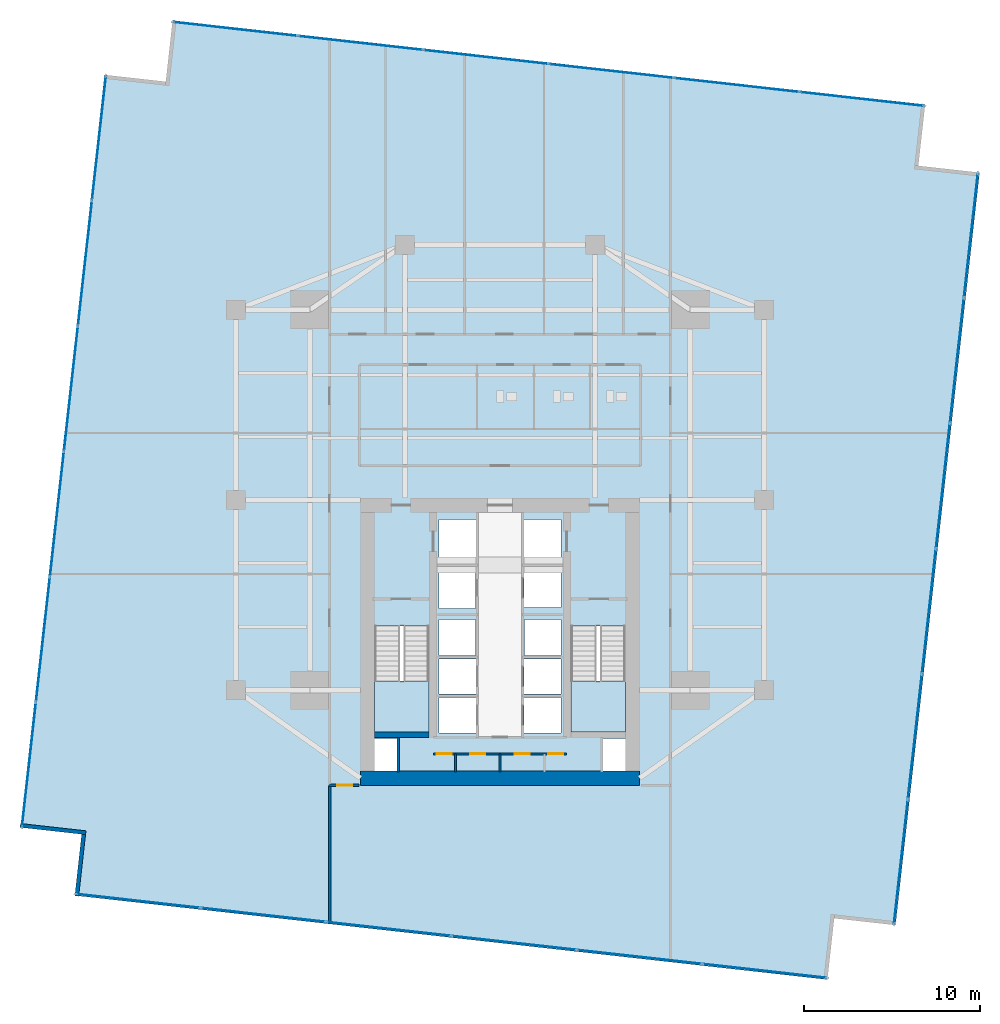
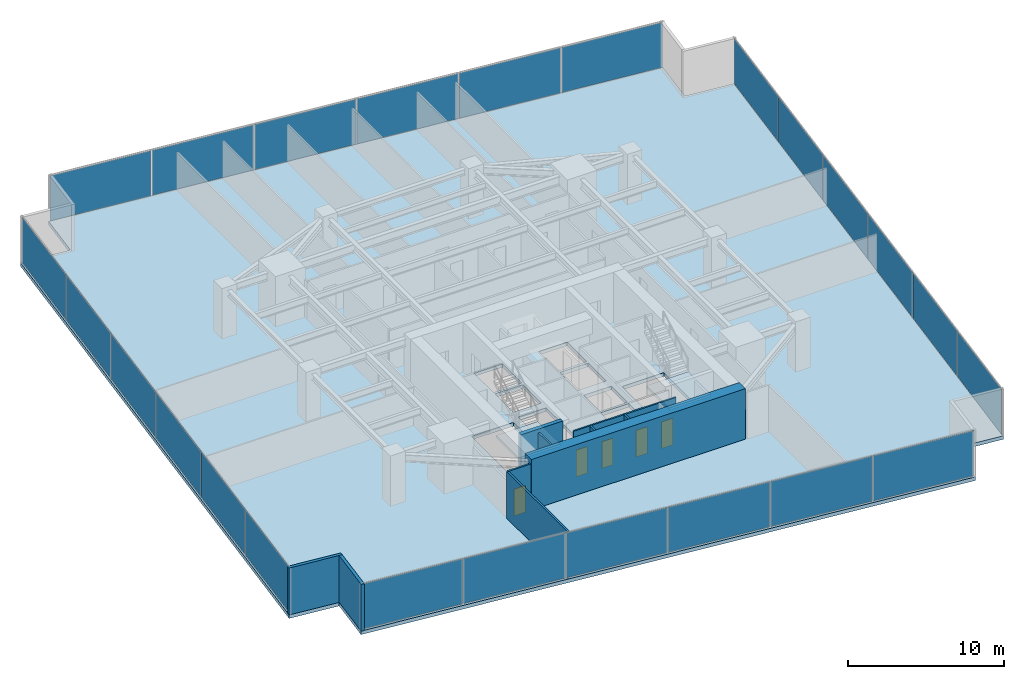
# One storey, part 24 of 29: 24 plates, 10 walls, 5 doors, 3 slabs, 5 openings, 6 elements without a shape of their own.
"""IFC4 building model written with IfcOpenShell, lengths in metres."""

import ifcopenshell
import ifcopenshell.guid

model = None  # the IFC model being written
_history = None  # IfcOwnerHistory: only IFC2X3 demands one
_inside = {}  # id of a spatial element -> (the spatial element, [elements in it])
_under = {}  # id of a project, library or spatial element -> (it, [spatial elements below it])
_declared = {}  # id of a project -> (the project, [libraries it declares])
_typed = {}  # id of a type object -> (the type object, [elements of that type])
_made_of = {}  # id of a material, layer set ... -> (it, [elements and type objects made of it])


def new_model(schema):
    """Start an empty IFC model of exactly this schema.

    Asked for "IFC4X3", IfcOpenShell would pick the latest addendum, in which some entities
    have other attributes; the version numbers below select the first issue.
    IFC2X3 requires an IfcOwnerHistory on every rooted entity: one is made here for all.
    """
    global model, _history
    if schema == "IFC4X3":
        model = ifcopenshell.file(schema_version=(4, 3, 0, 0))
    else:
        model = ifcopenshell.file(schema=schema)
    _inside.clear()
    _under.clear()
    _declared.clear()
    _typed.clear()
    _made_of.clear()
    _history = None
    if model.schema == "IFC2X3":
        org = make("IfcOrganization", Name="unknown")
        user = make(
            "IfcPersonAndOrganization",
            ThePerson=make("IfcPerson", FamilyName="unknown"),
            TheOrganization=org,
        )
        app = make(
            "IfcApplication",
            ApplicationDeveloper=org,
            Version="unknown",
            ApplicationFullName="unknown",
            ApplicationIdentifier="unknown",
        )
        _history = make(
            "IfcOwnerHistory",
            OwningUser=user,
            OwningApplication=app,
            ChangeAction="ADDED",
            CreationDate=0,
        )
    return model


def make(cls, **values):
    """One entity of the class cls with the attributes given. An attribute that is None is left unset."""
    return model.create_entity(
        cls, **{name: value for name, value in values.items() if value is not None}
    )


def rooted(cls, **values):
    """An entity with a GlobalId (a new one), such as an element, a storey or a relation."""
    return make(cls, GlobalId=ifcopenshell.guid.new(), OwnerHistory=_history, **values)


def si_unit(unit_type, name, prefix=None):
    """IfcSIUnit, for example si_unit("LENGTHUNIT", "METRE", prefix="MILLI")."""
    return make("IfcSIUnit", UnitType=unit_type, Prefix=prefix, Name=name)


def assignment(units):
    """IfcUnitAssignment: the units of a project."""
    return None if units is None else make("IfcUnitAssignment", Units=units)


def point(xyz):
    """IfcCartesianPoint."""
    return None if xyz is None else make("IfcCartesianPoint", Coordinates=xyz)


def direction(xyz):
    """IfcDirection."""
    return None if xyz is None else make("IfcDirection", DirectionRatios=xyz)


def frame(location, z_axis=None, x_axis=None):
    """IfcAxis2Placement3D, a coordinate frame: its origin and axes. An axis left out is left unset."""
    return make(
        "IfcAxis2Placement3D",
        Location=point(location),
        Axis=direction(z_axis),
        RefDirection=direction(x_axis),
    )


def frame_2d(location, x_axis=None):
    """IfcAxis2Placement2D, a coordinate frame in the plane: its origin and x axis."""
    return make(
        "IfcAxis2Placement2D", Location=point(location), RefDirection=direction(x_axis)
    )


def origin():
    """The frame at (0, 0, 0) with its axes left unset."""
    return frame((0.0, 0.0, 0.0))


def origin_2d():
    """The frame at (0, 0) in the plane with its x axis left unset."""
    return frame_2d((0.0, 0.0))


def place(relative_to, where):
    """IfcLocalPlacement: puts the frame where relative to a parent placement (None: the world)."""
    return make(
        "IfcLocalPlacement", PlacementRelTo=relative_to, RelativePlacement=where
    )


def context(
    kind, dimensions, precision=None, world=None, true_north=None, identifier=None
):
    """IfcGeometricRepresentationContext, for example the 3D "Model" context."""
    return make(
        "IfcGeometricRepresentationContext",
        ContextIdentifier=identifier,
        ContextType=kind,
        CoordinateSpaceDimension=dimensions,
        Precision=precision,
        WorldCoordinateSystem=world,
        TrueNorth=true_north,
    )


def subcontext(parent, identifier, kind, view, scale=None):
    """IfcGeometricRepresentationSubContext, for example "Body" below "Model"."""
    return make(
        "IfcGeometricRepresentationSubContext",
        ContextIdentifier=identifier,
        ContextType=kind,
        ParentContext=parent,
        TargetScale=scale,
        TargetView=view,
    )


def project(units=None, contexts=None):
    """IfcProject with its units and contexts."""
    return rooted(
        "IfcProject",
        Name="project",
        RepresentationContexts=contexts,
        UnitsInContext=assignment(units),
    )


def spatial(cls, under=None, at=None, **own):
    """A site, building, storey or space (cls), placed at a placement, below another one or the project."""
    s = rooted(cls, ObjectPlacement=at, **own)
    if under is not None:
        _under.setdefault(under.id(), (under, []))[1].append(s)
    return s


def polyline(points):
    """IfcPolyline through the points."""
    return make("IfcPolyline", Points=[point(p) for p in points])


def profile(cls, at=None, kind="AREA", **sizes):
    """A parametric profile (cls). Its sizes go by their IFC names, for example OverallWidth=200.0."""
    return make(cls, ProfileType=kind, Position=at, **sizes)


def rectangle(**sizes):
    """IfcRectangleProfileDef."""
    return profile("IfcRectangleProfileDef", **sizes)


def outline(outer, holes=None, kind="AREA"):
    """IfcArbitraryClosedProfileDef: a profile drawn as a closed curve; with holes, ...WithVoids."""
    if holes is None:
        return make("IfcArbitraryClosedProfileDef", ProfileType=kind, OuterCurve=outer)
    return make(
        "IfcArbitraryProfileDefWithVoids",
        ProfileType=kind,
        OuterCurve=outer,
        InnerCurves=holes,
    )


def extrude(swept, where, along, depth):
    """IfcExtrudedAreaSolid: the profile swept, set in the frame where, extruded along a direction by depth."""
    return make(
        "IfcExtrudedAreaSolid",
        SweptArea=swept,
        Position=where,
        ExtrudedDirection=direction(along),
        Depth=depth,
    )


def shape(context_of_items, identifier, shape_type, items):
    """IfcShapeRepresentation: the items that make up one representation, for example the "Body"."""
    return make(
        "IfcShapeRepresentation",
        ContextOfItems=context_of_items,
        RepresentationIdentifier=identifier,
        RepresentationType=shape_type,
        Items=items,
    )


def source(mapping_origin, context_of_items, identifier, shape_type, items):
    """IfcRepresentationMap: a shape defined once, which mapped items show again and again."""
    return make(
        "IfcRepresentationMap",
        MappingOrigin=mapping_origin,
        MappedRepresentation=shape(context_of_items, identifier, shape_type, items),
    )


def transform(
    local_origin,
    x_axis=None,
    y_axis=None,
    z_axis=None,
    scale=None,
    scale2=None,
    scale3=None,
    uniform=True,
):
    """IfcCartesianTransformationOperator3D, or its non-uniform kind. x_axis, y_axis, z_axis: its Axis1, 2, 3."""
    if uniform:
        return make(
            "IfcCartesianTransformationOperator3D",
            Axis1=direction(x_axis),
            Axis2=direction(y_axis),
            LocalOrigin=point(local_origin),
            Scale=scale,
            Axis3=direction(z_axis),
        )
    return make(
        "IfcCartesianTransformationOperator3DnonUniform",
        Axis1=direction(x_axis),
        Axis2=direction(y_axis),
        LocalOrigin=point(local_origin),
        Scale=scale,
        Axis3=direction(z_axis),
        Scale2=scale2,
        Scale3=scale3,
    )


def mapped(mapping_source, mapping_target):
    """IfcMappedItem: shows the shape of a source again, moved by a transform."""
    return make(
        "IfcMappedItem", MappingSource=mapping_source, MappingTarget=mapping_target
    )


def material(Name=None, Category=None):
    """IfcMaterial."""
    return make("IfcMaterial", Name=Name, Category=Category)


def layer(
    of_material, thickness, ventilated=None, Name=None, Category=None, Priority=None
):
    """IfcMaterialLayer: one layer of a wall or slab, of a material (None: an air gap)."""
    return make(
        "IfcMaterialLayer",
        Material=of_material,
        LayerThickness=thickness,
        IsVentilated=ventilated,
        Name=Name,
        Category=Category,
        Priority=Priority,
    )


def layer_set(layers, Name=None):
    """IfcMaterialLayerSet."""
    return make("IfcMaterialLayerSet", MaterialLayers=layers, LayerSetName=Name)


def made_of(thing, what):
    """Note that an element or type object is made of a material, layer set ...; save() writes the relation."""
    if what is not None:
        _made_of.setdefault(what.id(), (what, []))[1].append(thing)
    return thing


def type_object(cls, material=None, **own):
    """A type object (cls), such as IfcWallType, which elements share."""
    return made_of(rooted(cls, **own), material)


def type_shapes(of_type, sources):
    """Give a type object the sources (RepresentationMaps) that its elements show as mapped items."""
    of_type.RepresentationMaps = sources


def element(
    cls,
    number,
    at=None,
    inside=None,
    cuts=None,
    type_object=None,
    material=None,
    context=None,
    identifier="Body",
    shape_type=None,
    held_by="IfcProductDefinitionShape",
    body=None,
    shapes=None,
    **own,
):
    """One element of the class cls, such as IfcWall. Its Tag is "e" and its number.

    at: its placement. inside: the storey or other place that contains it. cuts: it is an
    opening in that element (IfcRelVoidsElement). A single representation is given by context,
    identifier, shape_type and body (its items); several are given by shapes. held_by: the class
    of the entity that holds the representations. save() writes the other relations.
    """
    e = rooted(cls, Tag="e%d" % number, ObjectPlacement=at, **own)
    if body is not None:
        shapes = [shape(context, identifier, shape_type, body)]
    if shapes is not None:
        e.Representation = make(held_by, Representations=shapes)
    if inside is not None:
        _inside.setdefault(inside.id(), (inside, []))[1].append(e)
    if cuts is not None:
        rooted(
            "IfcRelVoidsElement", RelatingBuildingElement=cuts, RelatedOpeningElement=e
        )
    if type_object is not None:
        _typed.setdefault(type_object.id(), (type_object, []))[1].append(e)
    return made_of(e, material)


def fill(opening, filler):
    """IfcRelFillsElement: the door or window that sits in an opening."""
    return rooted(
        "IfcRelFillsElement",
        RelatingOpeningElement=opening,
        RelatedBuildingElement=filler,
    )


def aggregate(whole, parts):
    """IfcRelAggregates: a whole, such as a stair, and the parts it consists of."""
    return rooted("IfcRelAggregates", RelatingObject=whole, RelatedObjects=parts)


def save(model, path):
    """Write the relations noted so far, then the file.

    IfcRelAggregates (storeys below a building ...), IfcRelContainedInSpatialStructure (elements
    in a storey), IfcRelDefinesByType, IfcRelAssociatesMaterial and IfcRelDeclares: one each for
    every whole, place, type object, material and project.
    """
    for whole, parts in _under.values():
        aggregate(whole, parts)
    for where, things in _inside.values():
        rooted(
            "IfcRelContainedInSpatialStructure",
            RelatedElements=things,
            RelatingStructure=where,
        )
    for kind, things in _typed.values():
        rooted("IfcRelDefinesByType", RelatedObjects=things, RelatingType=kind)
    for what, things in _made_of.values():
        rooted("IfcRelAssociatesMaterial", RelatedObjects=things, RelatingMaterial=what)
    for by, libraries in _declared.values():
        rooted("IfcRelDeclares", RelatingContext=by, RelatedDefinitions=libraries)
    model.write(path)


model = new_model("IFC4")

# Units and contexts
model_context = context("Model", 3, precision=1e-05, world=origin(), true_north=direction((0.0, 1.0)))
body_context = subcontext(model_context, "Body", "Model", "MODEL_VIEW")
ifc_project = project(units=[si_unit("LENGTHUNIT", "METRE"), si_unit("AREAUNIT", "SQUARE_METRE"), si_unit("VOLUMEUNIT", "CUBIC_METRE"), si_unit("PLANEANGLEUNIT", "RADIAN"), si_unit("MASSUNIT", "GRAM", prefix="KILO")], contexts=[model_context])

# Site, building, storey
site_placement = place(None, origin())
site = spatial("IfcSite", under=ifc_project, at=site_placement, CompositionType="ELEMENT")
building_placement = place(site_placement, origin())
building = spatial("IfcBuilding", under=site, at=building_placement, Name="Krantzveldt Concourse Tower", CompositionType="ELEMENT")
storey_placement = place(building_placement, frame((0.0, 0.0, 60.550048828125)))
storey = spatial("IfcBuildingStorey", under=building, at=storey_placement, Name="L14", CompositionType="ELEMENT", Elevation=60.550048828125)

# Stair, slab
ifc_material_1 = material(Name="Precast concrete C40/50", Category="concrete")
stair_type = type_object("IfcStairType", Name="STR-CORE-DOGLEG", PredefinedType="HALF_TURN_STAIR", material=ifc_material_1)
stair_1_placement = place(storey_placement, origin())
stair_1 = element("IfcStair", 1, at=stair_1_placement, inside=storey, type_object=stair_type, Name="L14 Protected Escape Stair ST-1", PredefinedType="HALF_TURN_STAIR")
ifc_layer_1 = layer(ifc_material_1, 0.199951171875, Name="Precast concrete C40/50", Category="concrete")
ifc_layer_set_1 = layer_set([ifc_layer_1], Name="Precast concrete C40/50 (SL-LANDING-200)")
slab_type_1 = type_object("IfcSlabType", Name="SL-LANDING-200", PredefinedType="LANDING", material=ifc_layer_set_1)
slab_1_placement = place(storey_placement, frame((0.0, 0.0, 1.77490234375)))
slab_1 = element("IfcSlab", 2, at=slab_1_placement, type_object=slab_type_1, Name="ST-1 landing 1", PredefinedType="LANDING", context=body_context, shape_type="SweptSolid", body=[
    extrude(outline(polyline([(28.8798828125, 16.4150390625), (28.8798828125, 13.52001953125), (31.97998046875, 13.52001953125), (31.97998046875, 16.4150390625), (28.8798828125, 16.4150390625)])), origin(), (0.0, 0.0, 1.0), 0.199951171875),
])
aggregate(stair_1, [slab_1])

stair_2_placement = place(storey_placement, origin())
stair_2 = element("IfcStair", 3, at=stair_2_placement, inside=storey, type_object=stair_type, Name="L14 Protected Escape Stair ST-2", PredefinedType="HALF_TURN_STAIR")
slab_2_placement = place(storey_placement, frame((0.0, 0.0, 1.77490234375)))
slab_2 = element("IfcSlab", 4, at=slab_2_placement, type_object=slab_type_1, Name="ST-2 landing 1", PredefinedType="LANDING", context=body_context, shape_type="SweptSolid", body=[
    extrude(outline(polyline([(40.02001953125, 16.4150390625), (40.02001953125, 13.52001953125), (43.1201171875, 13.52001953125), (43.1201171875, 16.4150390625), (40.02001953125, 16.4150390625)])), origin(), (0.0, 0.0, 1.0), 0.199951171875),
])
aggregate(stair_2, [slab_2])

# Slab
ifc_material_2 = material(Name="Concrete C40/50", Category="concrete")
ifc_layer_2 = layer(ifc_material_2, 0.280029296875, Name="Concrete C40/50", Category="concrete")
ifc_layer_set_2 = layer_set([ifc_layer_2], Name="Concrete C40/50 (SL-SL-TWR280)")
slab_type_2 = type_object("IfcSlabType", Name="SL-SL-TWR280", PredefinedType="FLOOR", material=ifc_layer_set_2)
slab_3_placement = place(storey_placement, frame((0.0, 0.0, -0.280029296875)))
element("IfcSlab", 5, at=slab_3_placement, inside=storey, type_object=slab_type_2, Name="SL-L14-MAIN", PredefinedType="FLOOR", context=body_context, shape_type="SweptSolid", body=[
    extrude(outline(polyline([(17.020263671875, 50.454345703125), (13.541748046875, 50.843017578125), (8.767333984375, 8.10888671875), (12.24560546875, 7.72021484375), (11.857177734375, 4.241943359375), (54.591064453125, -0.53271484375), (54.979736328125, 2.94580078125), (58.458251953125, 2.55712890625), (63.232666015625, 45.291259765625), (59.75439453125, 45.6796875), (60.142822265625, 49.158203125), (17.408935546875, 53.9326171875), (17.020263671875, 50.454345703125)]), holes=[polyline([(28.8798828125, 19.547607421875), (28.8798828125, 13.52001953125), (31.97998046875, 13.52001953125), (31.97998046875, 19.547607421875), (28.8798828125, 19.547607421875)]), polyline([(40.02001953125, 19.547607421875), (40.02001953125, 13.52001953125), (43.1201171875, 13.52001953125), (43.1201171875, 19.547607421875), (40.02001953125, 19.547607421875)]), polyline([(32.550048828125, 23.10009765625), (34.64990234375, 23.10009765625), (34.64990234375, 25.60009765625), (32.550048828125, 25.60009765625), (32.550048828125, 23.10009765625)]), polyline([(37.35009765625, 23.10009765625), (39.449951171875, 23.10009765625), (39.449951171875, 25.60009765625), (37.35009765625, 25.60009765625), (37.35009765625, 23.10009765625)]), polyline([(37.35009765625, 20.60009765625), (39.449951171875, 20.60009765625), (39.449951171875, 22.89990234375), (37.35009765625, 22.89990234375), (37.35009765625, 20.60009765625)]), polyline([(32.550048828125, 13.47998046875), (34.64990234375, 13.47998046875), (34.64990234375, 15.47998046875), (32.550048828125, 15.47998046875), (32.550048828125, 13.47998046875)]), polyline([(32.550048828125, 15.679931640625), (34.64990234375, 15.679931640625), (34.64990234375, 17.679931640625), (32.550048828125, 17.679931640625), (32.550048828125, 15.679931640625)]), polyline([(37.35009765625, 13.47998046875), (39.449951171875, 13.47998046875), (39.449951171875, 15.47998046875), (37.35009765625, 15.47998046875), (37.35009765625, 13.47998046875)]), polyline([(37.35009765625, 15.679931640625), (39.449951171875, 15.679931640625), (39.449951171875, 17.679931640625), (37.35009765625, 17.679931640625), (37.35009765625, 15.679931640625)]), polyline([(32.550048828125, 20.550048828125), (34.6201171875, 20.550048828125), (34.6201171875, 22.89990234375), (32.550048828125, 22.89990234375), (32.550048828125, 20.550048828125)]), polyline([(32.550048828125, 17.8798828125), (34.6201171875, 17.8798828125), (34.6201171875, 19.919921875), (32.550048828125, 19.919921875), (32.550048828125, 17.8798828125)]), polyline([(37.3798828125, 17.8798828125), (39.449951171875, 17.8798828125), (39.449951171875, 19.919921875), (37.3798828125, 19.919921875), (37.3798828125, 17.8798828125)]), polyline([(28.8798828125, 11.320068359375), (30.139892578125, 11.320068359375), (30.139892578125, 13.159912109375), (28.8798828125, 13.159912109375), (28.8798828125, 11.320068359375)]), polyline([(41.860107421875, 11.320068359375), (43.1201171875, 11.320068359375), (43.1201171875, 13.159912109375), (41.860107421875, 13.159912109375), (41.860107421875, 11.320068359375)])]), origin(), (0.0, 0.0, 1.0), 0.280029296875),
])

# Curtain wall, plates
ifc_material_3 = material(Name="Anodised aluminium 6063-T6", Category="aluminium")
curtain_wall_type = type_object("IfcCurtainWallType", Name="CW2", PredefinedType="USERDEFINED", material=ifc_material_3)
curtain_wall_1_placement = place(storey_placement, origin())
curtain_wall_1 = element("IfcCurtainWall", 6, at=curtain_wall_1_placement, inside=storey, type_object=curtain_wall_type, Name="CW-L14-F01", ObjectType="UNITISED CURTAIN WALL", PredefinedType="USERDEFINED")
ifc_material_4 = material(Name="Bronze-tinted laminated low-E IGU glass", Category="glass")
ifc_layer_3 = layer(ifc_material_4, 0.031982421875, Name="Bronze-tinted laminated low-E IGU glass", Category="glass")
ifc_layer_set_3 = layer_set([ifc_layer_3], Name="Bronze-tinted laminated low-E IGU glass (CW-GLZ-32)")
plate_type = type_object("IfcPlateType", Name="CW-GLZ-32", PredefinedType="CURTAIN_PANEL", material=ifc_layer_set_3)
shared_shape_1 = source(origin(), body_context, "Body", "SweptSolid", [
    extrude(rectangle(XDim=7.061767578125, YDim=0.031982421875, at=origin_2d()), origin(), (0.0, 0.0, 1.0), 3.530029296875),
])
plate_1_placement = place(storey_placement, frame((13.2314453125, 47.25439453125, 0.06982421875), z_axis=(0.0, 0.0, 1.0), x_axis=(-0.111035342863, -0.993816458223, 0.0)))
plate_1 = element("IfcPlate", 7, at=plate_1_placement, type_object=plate_type, Name="CW-Z12 panel 1.1", PredefinedType="CURTAIN_PANEL", context=body_context, shape_type="MappedRepresentation", body=[
    mapped(shared_shape_1, transform((0.0, 0.0, 0.0), x_axis=(1.0, 0.0, 0.0), y_axis=(0.0, 1.0, 0.0), z_axis=(0.0, 0.0, 1.0), scale=1.0)),
])
plate_2_placement = place(storey_placement, frame((9.256591796875, 11.677490234375, 0.06982421875), z_axis=(0.0, 0.0, 1.0), x_axis=(-0.111035342863, -0.993816458223, 0.0)))
plate_2 = element("IfcPlate", 8, at=plate_2_placement, type_object=plate_type, Name="CW-Z12 panel 6.1", PredefinedType="CURTAIN_PANEL", context=body_context, shape_type="MappedRepresentation", body=[
    mapped(shared_shape_1, transform((0.0, 0.0, 0.0), x_axis=(1.0, 0.0, 0.0), y_axis=(0.0, 1.0, 0.0), z_axis=(0.0, 0.0, 1.0), scale=1.0)),
])

curtain_wall_2_placement = place(storey_placement, origin())
curtain_wall_2 = element("IfcCurtainWall", 9, at=curtain_wall_2_placement, inside=storey, type_object=curtain_wall_type, Name="CW-L14-F04", ObjectType="UNITISED CURTAIN WALL", PredefinedType="USERDEFINED")
plate_3_placement = place(storey_placement, frame((15.445556640625, 3.931396484375, 0.06982421875), z_axis=(0.0, 0.0, 1.0), x_axis=(0.993816458223, -0.111035342863, 0.0)))
plate_3 = element("IfcPlate", 10, at=plate_3_placement, type_object=plate_type, Name="CW-Z12 panel 1.1", PredefinedType="CURTAIN_PANEL", context=body_context, shape_type="MappedRepresentation", body=[
    mapped(shared_shape_1, transform((0.0, 0.0, 0.0), x_axis=(1.0, 0.0, 0.0), y_axis=(0.0, 1.0, 0.0), z_axis=(0.0, 0.0, 1.0), scale=1.0)),
])
plate_4_placement = place(storey_placement, frame((51.022705078125, -0.04345703125, 0.06982421875), z_axis=(0.0, 0.0, 1.0), x_axis=(0.993816458223, -0.111035342863, 0.0)))
plate_4 = element("IfcPlate", 11, at=plate_4_placement, type_object=plate_type, Name="CW-Z12 panel 6.1", PredefinedType="CURTAIN_PANEL", context=body_context, shape_type="MappedRepresentation", body=[
    mapped(shared_shape_1, transform((0.0, 0.0, 0.0), x_axis=(1.0, 0.0, 0.0), y_axis=(0.0, 1.0, 0.0), z_axis=(0.0, 0.0, 1.0), scale=1.0)),
])

curtain_wall_3_placement = place(storey_placement, origin())
curtain_wall_3 = element("IfcCurtainWall", 12, at=curtain_wall_3_placement, inside=storey, type_object=curtain_wall_type, Name="CW-L14-F07", ObjectType="UNITISED CURTAIN WALL", PredefinedType="USERDEFINED")
plate_5_placement = place(storey_placement, frame((58.7685546875, 6.1455078125, 0.06982421875), z_axis=(0.0, 0.0, 1.0), x_axis=(0.111035342863, 0.993816458223, 0.0)))
plate_5 = element("IfcPlate", 13, at=plate_5_placement, type_object=plate_type, Name="CW-Z12 panel 1.1", PredefinedType="CURTAIN_PANEL", context=body_context, shape_type="MappedRepresentation", body=[
    mapped(shared_shape_1, transform((0.0, 0.0, 0.0), x_axis=(1.0, 0.0, 0.0), y_axis=(0.0, 1.0, 0.0), z_axis=(0.0, 0.0, 1.0), scale=1.0)),
])
plate_6_placement = place(storey_placement, frame((62.743408203125, 41.72265625, 0.06982421875), z_axis=(0.0, 0.0, 1.0), x_axis=(0.111035342863, 0.993816458223, 0.0)))
plate_6 = element("IfcPlate", 14, at=plate_6_placement, type_object=plate_type, Name="CW-Z12 panel 6.1", PredefinedType="CURTAIN_PANEL", context=body_context, shape_type="MappedRepresentation", body=[
    mapped(shared_shape_1, transform((0.0, 0.0, 0.0), x_axis=(1.0, 0.0, 0.0), y_axis=(0.0, 1.0, 0.0), z_axis=(0.0, 0.0, 1.0), scale=1.0)),
])

curtain_wall_4_placement = place(storey_placement, origin())
curtain_wall_4 = element("IfcCurtainWall", 15, at=curtain_wall_4_placement, inside=storey, type_object=curtain_wall_type, Name="CW-L14-F10", ObjectType="UNITISED CURTAIN WALL", PredefinedType="USERDEFINED")
plate_7_placement = place(storey_placement, frame((56.554443359375, 49.468505859375, 0.06982421875), z_axis=(0.0, 0.0, 1.0), x_axis=(-0.993816458223, 0.111035342863, 0.0)))
plate_7 = element("IfcPlate", 16, at=plate_7_placement, type_object=plate_type, Name="CW-Z12 panel 1.1", PredefinedType="CURTAIN_PANEL", context=body_context, shape_type="MappedRepresentation", body=[
    mapped(shared_shape_1, transform((0.0, 0.0, 0.0), x_axis=(1.0, 0.0, 0.0), y_axis=(0.0, 1.0, 0.0), z_axis=(0.0, 0.0, 1.0), scale=1.0)),
])
plate_8_placement = place(storey_placement, frame((20.977294921875, 53.443359375, 0.06982421875), z_axis=(0.0, 0.0, 1.0), x_axis=(-0.993816458223, 0.111035342863, 0.0)))
plate_8 = element("IfcPlate", 17, at=plate_8_placement, type_object=plate_type, Name="CW-Z12 panel 6.1", PredefinedType="CURTAIN_PANEL", context=body_context, shape_type="MappedRepresentation", body=[
    mapped(shared_shape_1, transform((0.0, 0.0, 0.0), x_axis=(1.0, 0.0, 0.0), y_axis=(0.0, 1.0, 0.0), z_axis=(0.0, 0.0, 1.0), scale=1.0)),
])

# Plate
shared_shape_2 = source(origin(), body_context, "Body", "SweptSolid", [
    extrude(rectangle(XDim=7.0966796875, YDim=0.031982421875, at=origin_2d()), origin(), (0.0, 0.0, 1.0), 3.530029296875),
])
type_shapes(plate_type, [shared_shape_1, shared_shape_2])
plate_9_placement = place(storey_placement, frame((12.437744140625, 40.1494140625, 0.06982421875), z_axis=(0.0, 0.0, 1.0), x_axis=(-0.111035342863, -0.993816458223, 0.0)))
plate_9 = element("IfcPlate", 18, at=plate_9_placement, type_object=plate_type, Name="CW-Z12 panel 2.1", PredefinedType="CURTAIN_PANEL", context=body_context, shape_type="MappedRepresentation", body=[
    mapped(shared_shape_2, transform((0.0, 0.0, 0.0), x_axis=(1.0, 0.0, 0.0), y_axis=(0.0, 1.0, 0.0), z_axis=(0.0, 0.0, 1.0), scale=1.0)),
])

plate_10_placement = place(storey_placement, frame((11.641845703125, 33.027099609375, 0.06982421875), z_axis=(0.0, 0.0, 1.0), x_axis=(-0.111035342863, -0.993816458223, 0.0)))
plate_10 = element("IfcPlate", 19, at=plate_10_placement, type_object=plate_type, Name="CW-Z12 panel 3.1", PredefinedType="CURTAIN_PANEL", context=body_context, shape_type="MappedRepresentation", body=[
    mapped(shared_shape_2, transform((0.0, 0.0, 0.0), x_axis=(1.0, 0.0, 0.0), y_axis=(0.0, 1.0, 0.0), z_axis=(0.0, 0.0, 1.0), scale=1.0)),
])

plate_11_placement = place(storey_placement, frame((10.84619140625, 25.90478515625, 0.06982421875), z_axis=(0.0, 0.0, 1.0), x_axis=(-0.111035342863, -0.993816458223, 0.0)))
plate_11 = element("IfcPlate", 20, at=plate_11_placement, type_object=plate_type, Name="CW-Z12 panel 4.1", PredefinedType="CURTAIN_PANEL", context=body_context, shape_type="MappedRepresentation", body=[
    mapped(shared_shape_2, transform((0.0, 0.0, 0.0), x_axis=(1.0, 0.0, 0.0), y_axis=(0.0, 1.0, 0.0), z_axis=(0.0, 0.0, 1.0), scale=1.0)),
])

plate_12_placement = place(storey_placement, frame((10.05029296875, 18.782470703125, 0.06982421875), z_axis=(0.0, 0.0, 1.0), x_axis=(-0.111035342863, -0.993816458223, 0.0)))
plate_12 = element("IfcPlate", 21, at=plate_12_placement, type_object=plate_type, Name="CW-Z12 panel 5.1", PredefinedType="CURTAIN_PANEL", context=body_context, shape_type="MappedRepresentation", body=[
    mapped(shared_shape_2, transform((0.0, 0.0, 0.0), x_axis=(1.0, 0.0, 0.0), y_axis=(0.0, 1.0, 0.0), z_axis=(0.0, 0.0, 1.0), scale=1.0)),
])

aggregate(curtain_wall_1, [plate_1, plate_9, plate_10, plate_11, plate_12, plate_2])

plate_13_placement = place(storey_placement, frame((22.550537109375, 3.1376953125, 0.06982421875), z_axis=(0.0, 0.0, 1.0), x_axis=(0.993816458223, -0.111035342863, 0.0)))
plate_13 = element("IfcPlate", 22, at=plate_13_placement, type_object=plate_type, Name="CW-Z12 panel 2.1", PredefinedType="CURTAIN_PANEL", context=body_context, shape_type="MappedRepresentation", body=[
    mapped(shared_shape_2, transform((0.0, 0.0, 0.0), x_axis=(1.0, 0.0, 0.0), y_axis=(0.0, 1.0, 0.0), z_axis=(0.0, 0.0, 1.0), scale=1.0)),
])

plate_14_placement = place(storey_placement, frame((29.6728515625, 2.341796875, 0.06982421875), z_axis=(0.0, 0.0, 1.0), x_axis=(0.993816458223, -0.111035342863, 0.0)))
plate_14 = element("IfcPlate", 23, at=plate_14_placement, type_object=plate_type, Name="CW-Z12 panel 3.1", PredefinedType="CURTAIN_PANEL", context=body_context, shape_type="MappedRepresentation", body=[
    mapped(shared_shape_2, transform((0.0, 0.0, 0.0), x_axis=(1.0, 0.0, 0.0), y_axis=(0.0, 1.0, 0.0), z_axis=(0.0, 0.0, 1.0), scale=1.0)),
])

plate_15_placement = place(storey_placement, frame((36.795166015625, 1.546142578125, 0.06982421875), z_axis=(0.0, 0.0, 1.0), x_axis=(0.993816458223, -0.111035342863, 0.0)))
plate_15 = element("IfcPlate", 24, at=plate_15_placement, type_object=plate_type, Name="CW-Z12 panel 4.1", PredefinedType="CURTAIN_PANEL", context=body_context, shape_type="MappedRepresentation", body=[
    mapped(shared_shape_2, transform((0.0, 0.0, 0.0), x_axis=(1.0, 0.0, 0.0), y_axis=(0.0, 1.0, 0.0), z_axis=(0.0, 0.0, 1.0), scale=1.0)),
])

plate_16_placement = place(storey_placement, frame((43.917724609375, 0.75048828125, 0.06982421875), z_axis=(0.0, 0.0, 1.0), x_axis=(0.993816458223, -0.111035342863, 0.0)))
plate_16 = element("IfcPlate", 25, at=plate_16_placement, type_object=plate_type, Name="CW-Z12 panel 5.1", PredefinedType="CURTAIN_PANEL", context=body_context, shape_type="MappedRepresentation", body=[
    mapped(shared_shape_2, transform((0.0, 0.0, 0.0), x_axis=(1.0, 0.0, 0.0), y_axis=(0.0, 1.0, 0.0), z_axis=(0.0, 0.0, 1.0), scale=1.0)),
])

aggregate(curtain_wall_2, [plate_3, plate_13, plate_14, plate_15, plate_16, plate_4])

plate_17_placement = place(storey_placement, frame((59.562255859375, 13.25048828125, 0.06982421875), z_axis=(0.0, 0.0, 1.0), x_axis=(0.111035342863, 0.993816458223, 0.0)))
plate_17 = element("IfcPlate", 26, at=plate_17_placement, type_object=plate_type, Name="CW-Z12 panel 2.1", PredefinedType="CURTAIN_PANEL", context=body_context, shape_type="MappedRepresentation", body=[
    mapped(shared_shape_2, transform((0.0, 0.0, 0.0), x_axis=(1.0, 0.0, 0.0), y_axis=(0.0, 1.0, 0.0), z_axis=(0.0, 0.0, 1.0), scale=1.0)),
])

plate_18_placement = place(storey_placement, frame((60.358154296875, 20.373046875, 0.06982421875), z_axis=(0.0, 0.0, 1.0), x_axis=(0.111035342863, 0.993816458223, 0.0)))
plate_18 = element("IfcPlate", 27, at=plate_18_placement, type_object=plate_type, Name="CW-Z12 panel 3.1", PredefinedType="CURTAIN_PANEL", context=body_context, shape_type="MappedRepresentation", body=[
    mapped(shared_shape_2, transform((0.0, 0.0, 0.0), x_axis=(1.0, 0.0, 0.0), y_axis=(0.0, 1.0, 0.0), z_axis=(0.0, 0.0, 1.0), scale=1.0)),
])

plate_19_placement = place(storey_placement, frame((61.15380859375, 27.495361328125, 0.06982421875), z_axis=(0.0, 0.0, 1.0), x_axis=(0.111035342863, 0.993816458223, 0.0)))
plate_19 = element("IfcPlate", 28, at=plate_19_placement, type_object=plate_type, Name="CW-Z12 panel 4.1", PredefinedType="CURTAIN_PANEL", context=body_context, shape_type="MappedRepresentation", body=[
    mapped(shared_shape_2, transform((0.0, 0.0, 0.0), x_axis=(1.0, 0.0, 0.0), y_axis=(0.0, 1.0, 0.0), z_axis=(0.0, 0.0, 1.0), scale=1.0)),
])

plate_20_placement = place(storey_placement, frame((61.94970703125, 34.61767578125, 0.06982421875), z_axis=(0.0, 0.0, 1.0), x_axis=(0.111035342863, 0.993816458223, 0.0)))
plate_20 = element("IfcPlate", 29, at=plate_20_placement, type_object=plate_type, Name="CW-Z12 panel 5.1", PredefinedType="CURTAIN_PANEL", context=body_context, shape_type="MappedRepresentation", body=[
    mapped(shared_shape_2, transform((0.0, 0.0, 0.0), x_axis=(1.0, 0.0, 0.0), y_axis=(0.0, 1.0, 0.0), z_axis=(0.0, 0.0, 1.0), scale=1.0)),
])

aggregate(curtain_wall_3, [plate_5, plate_17, plate_18, plate_19, plate_20, plate_6])

plate_21_placement = place(storey_placement, frame((49.449462890625, 50.262451171875, 0.06982421875), z_axis=(0.0, 0.0, 1.0), x_axis=(-0.993816458223, 0.111035342863, 0.0)))
plate_21 = element("IfcPlate", 30, at=plate_21_placement, type_object=plate_type, Name="CW-Z12 panel 2.1", PredefinedType="CURTAIN_PANEL", context=body_context, shape_type="MappedRepresentation", body=[
    mapped(shared_shape_2, transform((0.0, 0.0, 0.0), x_axis=(1.0, 0.0, 0.0), y_axis=(0.0, 1.0, 0.0), z_axis=(0.0, 0.0, 1.0), scale=1.0)),
])

plate_22_placement = place(storey_placement, frame((42.3271484375, 51.05810546875, 0.06982421875), z_axis=(0.0, 0.0, 1.0), x_axis=(-0.993816458223, 0.111035342863, 0.0)))
plate_22 = element("IfcPlate", 31, at=plate_22_placement, type_object=plate_type, Name="CW-Z12 panel 3.1", PredefinedType="CURTAIN_PANEL", context=body_context, shape_type="MappedRepresentation", body=[
    mapped(shared_shape_2, transform((0.0, 0.0, 0.0), x_axis=(1.0, 0.0, 0.0), y_axis=(0.0, 1.0, 0.0), z_axis=(0.0, 0.0, 1.0), scale=1.0)),
])

plate_23_placement = place(storey_placement, frame((35.204833984375, 51.853759765625, 0.06982421875), z_axis=(0.0, 0.0, 1.0), x_axis=(-0.993816458223, 0.111035342863, 0.0)))
plate_23 = element("IfcPlate", 32, at=plate_23_placement, type_object=plate_type, Name="CW-Z12 panel 4.1", PredefinedType="CURTAIN_PANEL", context=body_context, shape_type="MappedRepresentation", body=[
    mapped(shared_shape_2, transform((0.0, 0.0, 0.0), x_axis=(1.0, 0.0, 0.0), y_axis=(0.0, 1.0, 0.0), z_axis=(0.0, 0.0, 1.0), scale=1.0)),
])

plate_24_placement = place(storey_placement, frame((28.082275390625, 52.649658203125, 0.06982421875), z_axis=(0.0, 0.0, 1.0), x_axis=(-0.993816458223, 0.111035342863, 0.0)))
plate_24 = element("IfcPlate", 33, at=plate_24_placement, type_object=plate_type, Name="CW-Z12 panel 5.1", PredefinedType="CURTAIN_PANEL", context=body_context, shape_type="MappedRepresentation", body=[
    mapped(shared_shape_2, transform((0.0, 0.0, 0.0), x_axis=(1.0, 0.0, 0.0), y_axis=(0.0, 1.0, 0.0), z_axis=(0.0, 0.0, 1.0), scale=1.0)),
])

aggregate(curtain_wall_4, [plate_7, plate_21, plate_22, plate_23, plate_24, plate_8])

# Walls
ifc_layer_4 = layer(ifc_material_3, 0.219970703125, Name="Anodised aluminium 6063-T6", Category="aluminium")
ifc_layer_set_4 = layer_set([ifc_layer_4], Name="Anodised aluminium 6063-T6 (WL-EXT-NOTCH220)")
wall_type_1 = type_object("IfcWallType", Name="WL-EXT-NOTCH220", PredefinedType="ELEMENTEDWALL", material=ifc_layer_set_4)
wall_1_placement = place(storey_placement, frame((8.754638671875, 8.220947265625, 0.0), z_axis=(0.0, 0.0, 1.0), x_axis=(0.99381837171, -0.111018214957, 0.0)))
element("IfcWall", 34, at=wall_1_placement, inside=storey, type_object=wall_type_1, Name="EW-L14-NCH02", PredefinedType="ELEMENTEDWALL", context=body_context, shape_type="SweptSolid", body=[
    extrude(rectangle(XDim=3.7451171875, YDim=0.219970703125, at=frame_2d((1.87255859375, 0.0))), origin(), (0.0, 0.0, 1.0), 3.669921875),
])
wall_2_placement = place(storey_placement, frame((12.35498046875, 7.7080078125, 0.0), z_axis=(0.0, 0.0, 1.0), x_axis=(-0.111024443135, -0.993817675948, 0.0)))
element("IfcWall", 35, at=wall_2_placement, inside=storey, type_object=wall_type_1, Name="EW-L14-NCH03", PredefinedType="ELEMENTEDWALL", context=body_context, shape_type="SweptSolid", body=[
    extrude(rectangle(XDim=3.52490234375, YDim=0.219970703125, at=frame_2d((1.762451171875, 0.0))), origin(), (0.0, 0.0, 1.0), 3.669921875),
])

# Wall, openings, doors
ifc_material_5 = material(Name="Fire-rated gypsum plasterboard on steel stud", Category="steel")
ifc_layer_5 = layer(ifc_material_5, 0.1201171875, Name="Fire-rated gypsum plasterboard on steel stud", Category="steel")
ifc_layer_set_5 = layer_set([ifc_layer_5], Name="Fire-rated gypsum plasterboard on steel stud (WL-PART-120)")
wall_type_2 = type_object("IfcWallType", Name="WL-PART-120", PredefinedType="PARTITIONING", material=ifc_layer_set_5)
wall_3_placement = place(storey_placement, frame((32.2099609375, 12.280029296875, 0.0), z_axis=(0.0, 0.0, 1.0), x_axis=(1.0, 0.0, 0.0)))
wall_3 = element("IfcWall", 36, at=wall_3_placement, inside=storey, type_object=wall_type_2, Name="WP-L14-CSD-HM", PredefinedType="PARTITIONING", context=body_context, shape_type="SweptSolid", body=[
    extrude(rectangle(XDim=7.580078125, YDim=0.1201171875, at=frame_2d((3.7900390625, 0.0))), origin(), (0.0, 0.0, 1.0), 3.669921875),
])
opening_1_placement = place(wall_3_placement, frame((0.205078125, 0.0, 0.0)))
opening_1 = element("IfcOpeningElement", 37, at=opening_1_placement, cuts=wall_3, Name="Opening D-IN085", PredefinedType="OPENING", context=body_context, shape_type="SweptSolid", body=[
    extrude(rectangle(XDim=0.85009765625, YDim=2.10009765625, at=frame_2d((0.425048828125, 1.050048828125))), frame((0.0, 0.070068359375, 0.0), z_axis=(0.0, -1.0, 0.0), x_axis=(1.0, 0.0, 0.0)), (0.0, 0.0, 1.0), 0.14013671875),
])
opening_2_placement = place(wall_3_placement, frame((2.094970703125, 0.0, 0.0)))
opening_2 = element("IfcOpeningElement", 38, at=opening_2_placement, cuts=wall_3, Name="Opening D-IN085", PredefinedType="OPENING", context=body_context, shape_type="SweptSolid", body=[
    extrude(rectangle(XDim=0.85009765625, YDim=2.10009765625, at=frame_2d((0.425048828125, 1.050048828125))), frame((0.0, 0.070068359375, 0.0), z_axis=(0.0, -1.0, 0.0), x_axis=(1.0, 0.0, 0.0)), (0.0, 0.0, 1.0), 0.14013671875),
])
opening_3_placement = place(wall_3_placement, frame((4.635009765625, 0.0, 0.0)))
opening_3 = element("IfcOpeningElement", 39, at=opening_3_placement, cuts=wall_3, Name="Opening D-IN085", PredefinedType="OPENING", context=body_context, shape_type="SweptSolid", body=[
    extrude(rectangle(XDim=0.85009765625, YDim=2.10009765625, at=frame_2d((0.425048828125, 1.050048828125))), frame((0.0, 0.070068359375, 0.0), z_axis=(0.0, -1.0, 0.0), x_axis=(1.0, 0.0, 0.0)), (0.0, 0.0, 1.0), 0.14013671875),
])
opening_4_placement = place(wall_3_placement, frame((6.52490234375, 0.0, 0.0)))
opening_4 = element("IfcOpeningElement", 40, at=opening_4_placement, cuts=wall_3, Name="Opening D-IN085", PredefinedType="OPENING", context=body_context, shape_type="SweptSolid", body=[
    extrude(rectangle(XDim=0.85009765625, YDim=2.10009765625, at=frame_2d((0.425048828125, 1.050048828125))), frame((0.0, 0.070068359375, 0.0), z_axis=(0.0, -1.0, 0.0), x_axis=(1.0, 0.0, 0.0)), (0.0, 0.0, 1.0), 0.14013671875),
])
ifc_material_6 = material(Name="Hardwood timber", Category="wood")
door_type = type_object("IfcDoorType", Name="DR-INT-850", OperationType="SINGLE_SWING_LEFT", PredefinedType="DOOR", material=ifc_material_6)
door_1_placement = place(opening_1_placement, origin())
door_1 = element("IfcDoor", 41, at=door_1_placement, inside=storey, type_object=door_type, Name="DR-L14-CSD1", OperationType="SINGLE_SWING_RIGHT", OverallHeight=2.10009765625, OverallWidth=0.85009765625, PredefinedType="DOOR", context=body_context, shape_type="SweptSolid", body=[
    extrude(rectangle(XDim=0.85009765625, YDim=2.10009765625, at=frame_2d((0.425048828125, 1.050048828125))), frame((0.0, 0.02490234375, 0.0), z_axis=(0.0, -1.0, 0.0), x_axis=(1.0, 0.0, 0.0)), (0.0, 0.0, 1.0), 0.050048828125),
])
fill(opening_1, door_1)
door_2_placement = place(opening_2_placement, origin())
door_2 = element("IfcDoor", 42, at=door_2_placement, inside=storey, type_object=door_type, Name="DR-L14-CSD2", OperationType="SINGLE_SWING_RIGHT", OverallHeight=2.10009765625, OverallWidth=0.85009765625, PredefinedType="DOOR", context=body_context, shape_type="SweptSolid", body=[
    extrude(rectangle(XDim=0.85009765625, YDim=2.10009765625, at=frame_2d((0.425048828125, 1.050048828125))), frame((0.0, 0.02490234375, 0.0), z_axis=(0.0, -1.0, 0.0), x_axis=(1.0, 0.0, 0.0)), (0.0, 0.0, 1.0), 0.050048828125),
])
fill(opening_2, door_2)
door_3_placement = place(opening_3_placement, origin())
door_3 = element("IfcDoor", 43, at=door_3_placement, inside=storey, type_object=door_type, Name="DR-L14-CSD3", OperationType="SINGLE_SWING_RIGHT", OverallHeight=2.10009765625, OverallWidth=0.85009765625, PredefinedType="DOOR", context=body_context, shape_type="SweptSolid", body=[
    extrude(rectangle(XDim=0.85009765625, YDim=2.10009765625, at=frame_2d((0.425048828125, 1.050048828125))), frame((0.0, 0.02490234375, 0.0), z_axis=(0.0, -1.0, 0.0), x_axis=(1.0, 0.0, 0.0)), (0.0, 0.0, 1.0), 0.050048828125),
])
fill(opening_3, door_3)
door_4_placement = place(opening_4_placement, origin())
door_4 = element("IfcDoor", 44, at=door_4_placement, inside=storey, type_object=door_type, Name="DR-L14-CSD4", OperationType="SINGLE_SWING_RIGHT", OverallHeight=2.10009765625, OverallWidth=0.85009765625, PredefinedType="DOOR", context=body_context, shape_type="SweptSolid", body=[
    extrude(rectangle(XDim=0.85009765625, YDim=2.10009765625, at=frame_2d((0.425048828125, 1.050048828125))), frame((0.0, 0.02490234375, 0.0), z_axis=(0.0, -1.0, 0.0), x_axis=(1.0, 0.0, 0.0)), (0.0, 0.0, 1.0), 0.050048828125),
])
fill(opening_4, door_4)

# Walls
for number, where, z_axis, x_axis, name in (
    (45, (33.469970703125, 11.25, 0.0), (0.0, 0.0, 1.0), (0.0, 1.0, 0.0), "WP-L14-CSD-V1"),
    (46, (36.0, 11.25, 0.0), (0.0, 0.0, 1.0), (0.0, 1.0, 0.0), "WP-L14-CSD-V2"),
):
    element("IfcWall", number, at=place(storey_placement, frame(where, z_axis=z_axis, x_axis=x_axis)), inside=storey, type_object=wall_type_2, Name=name, PredefinedType="PARTITIONING", context=body_context, shape_type="SweptSolid", body=[
        extrude(rectangle(XDim=1.030029296875, YDim=0.1201171875, at=frame_2d((0.51513671875, 0.0))), origin(), (0.0, 0.0, 1.0), 3.669921875),
    ])

# Wall, opening, door
ifc_layer_6 = layer(ifc_material_5, 0.139892578125, Name="Fire-rated gypsum plasterboard on steel stud", Category="steel")
ifc_layer_set_6 = layer_set([ifc_layer_6], Name="Fire-rated gypsum plasterboard on steel stud (WL-PART-140)")
wall_type_3 = type_object("IfcWallType", Name="WL-PART-140", PredefinedType="PARTITIONING", material=ifc_layer_set_6)
wall_4_placement = place(storey_placement, frame((26.320068359375, 10.5, 0.0), z_axis=(0.0, 0.0, 1.0), x_axis=(1.0, 0.0, 0.0)))
wall_4 = element("IfcWall", 47, at=wall_4_placement, inside=storey, type_object=wall_type_3, Name="WP-L14-CWBOT", PredefinedType="PARTITIONING", context=body_context, shape_type="SweptSolid", body=[
    extrude(rectangle(XDim=1.679931640625, YDim=0.139892578125, at=frame_2d((0.83984375, 0.0))), origin(), (0.0, 0.0, 1.0), 3.669921875),
])
opening_5_placement = place(wall_4_placement, frame((0.445068359375, 0.0, 0.0)))
opening_5 = element("IfcOpeningElement", 48, at=opening_5_placement, cuts=wall_4, Name="Opening D-IN085", PredefinedType="OPENING", context=body_context, shape_type="SweptSolid", body=[
    extrude(rectangle(XDim=0.85009765625, YDim=2.10009765625, at=frame_2d((0.425048828125, 1.050048828125))), frame((0.0, 0.080078125, 0.0), z_axis=(0.0, -1.0, 0.0), x_axis=(1.0, 0.0, 0.0)), (0.0, 0.0, 1.0), 0.159912109375),
])
door_5_placement = place(opening_5_placement, origin())
door_5 = element("IfcDoor", 49, at=door_5_placement, inside=storey, type_object=door_type, Name="DR-L14-SR1", OperationType="SINGLE_SWING_LEFT", OverallHeight=2.10009765625, OverallWidth=0.85009765625, PredefinedType="DOOR", context=body_context, shape_type="SweptSolid", body=[
    extrude(rectangle(XDim=0.85009765625, YDim=2.10009765625, at=frame_2d((0.425048828125, 1.050048828125))), frame((0.0, 0.02490234375, 0.0), z_axis=(0.0, -1.0, 0.0), x_axis=(1.0, 0.0, 0.0)), (0.0, 0.0, 1.0), 0.050048828125),
])
fill(opening_5, door_5)

# Walls
wall_5_placement = place(storey_placement, frame((26.320068359375, 2.716552734375, 0.0), z_axis=(0.0, 0.0, 1.0), x_axis=(0.0, 1.0, 0.0)))
element("IfcWall", 50, at=wall_5_placement, inside=storey, type_object=wall_type_3, Name="WP-L14-SWL", PredefinedType="PARTITIONING", context=body_context, shape_type="SweptSolid", body=[
    extrude(rectangle(XDim=7.783447265625, YDim=0.139892578125, at=frame_2d((3.8916015625, 0.0))), origin(), (0.0, 0.0, 1.0), 3.669921875),
])
ifc_layer_7 = layer(ifc_material_5, 0.139892578125, Name="Fire-rated gypsum plasterboard on steel stud", Category="steel")
ifc_layer_set_7 = layer_set([ifc_layer_7], Name="Fire-rated gypsum plasterboard on steel stud (WL-PART-FR140)")
wall_type_4 = type_object("IfcWallType", Name="WL-PART-FR140", PredefinedType="PARTITIONING", material=ifc_layer_set_7)
wall_6_placement = place(storey_placement, frame((30.219970703125, 11.25, 0.0), z_axis=(0.0, 0.0, 1.0), x_axis=(0.0, 1.0, 0.0)))
element("IfcWall", 51, at=wall_6_placement, inside=storey, type_object=wall_type_4, Name="WP-L14-RSW", PredefinedType="PARTITIONING", context=body_context, shape_type="SweptSolid", body=[
    extrude(rectangle(XDim=1.969970703125, YDim=0.1201171875, at=frame_2d((0.98486328125, 0.0))), origin(), (0.0, 0.0, 1.0), 3.669921875),
])
ifc_material_7 = material(Name="Concrete C50/60", Category="concrete")
ifc_layer_8 = layer(ifc_material_7, 0.300048828125, Name="Concrete C50/60", Category="concrete")
ifc_layer_set_8 = layer_set([ifc_layer_8], Name="Concrete C50/60 (WL-SHEAR-300)")
wall_type_5 = type_object("IfcWallType", Name="WL-SHEAR-300", PredefinedType="SHEAR", material=ifc_layer_set_8)
wall_7_placement = place(storey_placement, frame((28.8798828125, 13.3701171875, 0.0), z_axis=(0.0, 0.0, 1.0), x_axis=(1.0, 0.0, 0.0)))
element("IfcWall", 52, at=wall_7_placement, inside=storey, type_object=wall_type_5, Name="CW-L14-ST1S", PredefinedType="SHEAR", context=body_context, shape_type="SweptSolid", body=[
    extrude(rectangle(XDim=3.10009765625, YDim=0.300048828125, at=frame_2d((1.550048828125, 0.0))), origin(), (0.0, 0.0, 1.0), 3.949951171875),
])
ifc_material_8 = material(Name="Concrete C60/75", Category="concrete")
ifc_layer_9 = layer(ifc_material_8, 0.800048828125, Name="Concrete C60/75", Category="concrete")
ifc_layer_set_9 = layer_set([ifc_layer_9], Name="Concrete C60/75 (WL-SHEAR-800)")
wall_type_6 = type_object("IfcWallType", Name="WL-SHEAR-800", PredefinedType="SHEAR", material=ifc_layer_set_9)
wall_8_placement = place(storey_placement, frame((28.080078125, 10.89990234375, 0.0), z_axis=(0.0, 0.0, 1.0), x_axis=(1.0, 0.0, 0.0)))
element("IfcWall", 53, at=wall_8_placement, inside=storey, type_object=wall_type_6, Name="CW-L14-S", PredefinedType="SHEAR", context=body_context, shape_type="SweptSolid", body=[
    extrude(rectangle(XDim=15.83984375, YDim=0.800048828125, at=frame_2d((7.919921875, 0.0))), origin(), (0.0, 0.0, 1.0), 3.949951171875),
])

save(model, "model.ifc")
